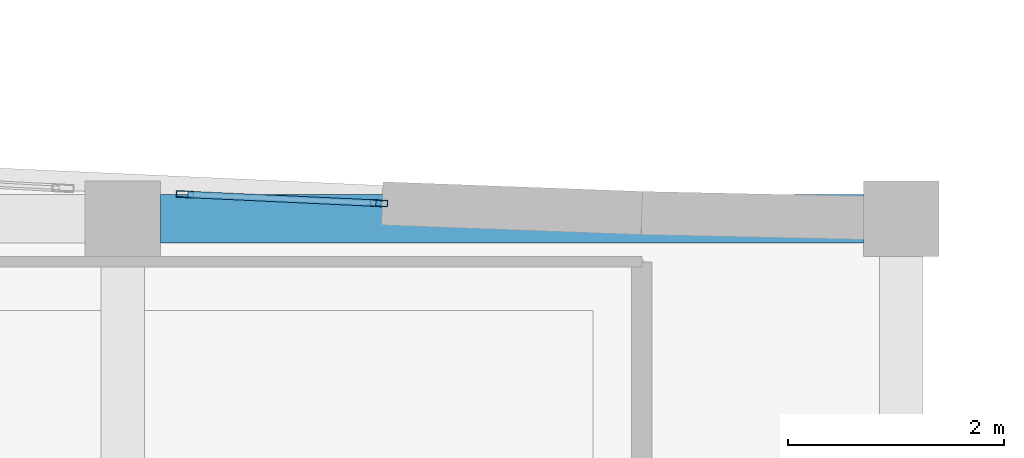
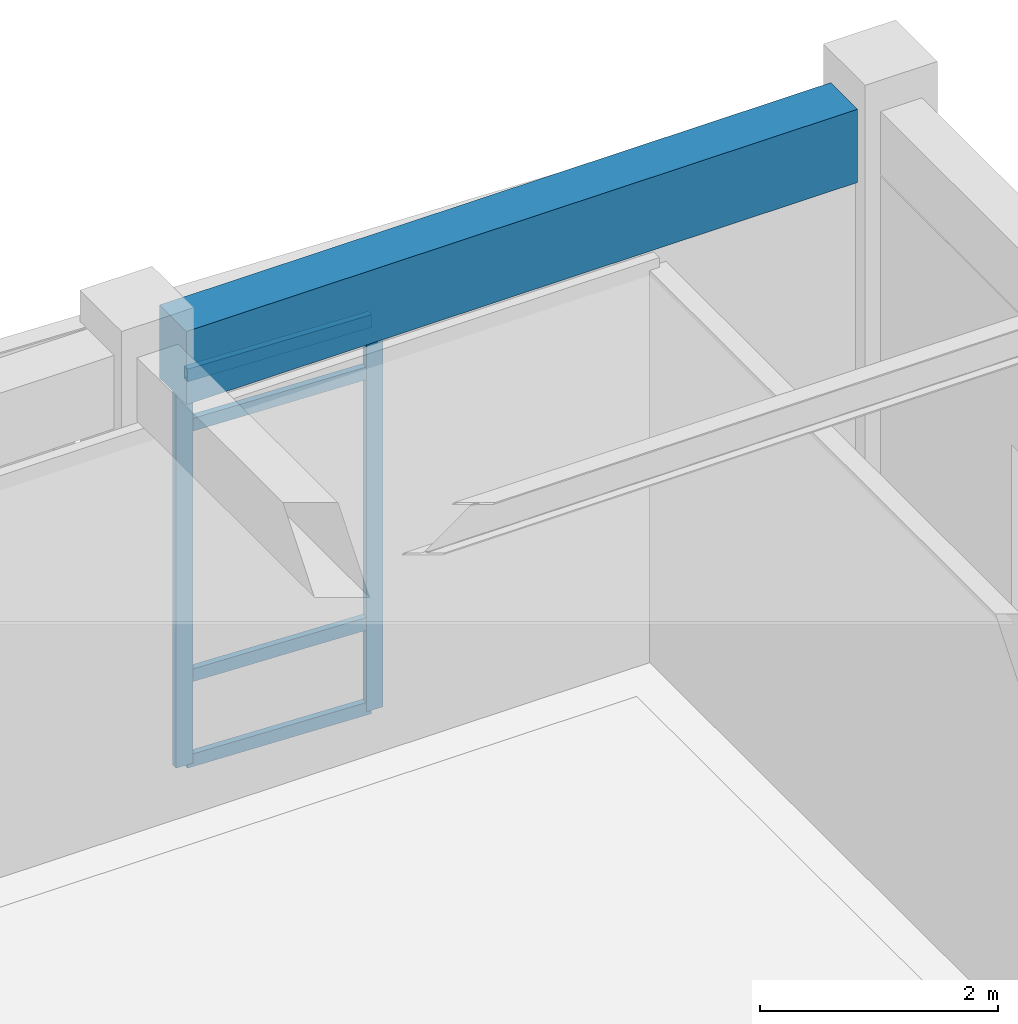
# One storey, part 65 of 117: 6 members, 1 beam, 1 element without a shape of its own.
"""IFC4 building model written with IfcOpenShell, lengths in metres."""

from ifc_helpers import new_model, si_unit, direction, frame, origin, origin_2d, place, context, subcontext, project, spatial, rectangle, hollow_rectangle, extrude, material, layer, layer_set, material_profile, profile_set, type_object, element, aggregate, save


model = new_model("IFC4")

# Units and contexts
model_context = context("Model", 3, precision=1e-05, world=origin(), true_north=direction((0.0, 1.0)))
body_context = subcontext(model_context, "Body", "Model", "MODEL_VIEW")
ifc_project = project(units=[si_unit("LENGTHUNIT", "METRE"), si_unit("AREAUNIT", "SQUARE_METRE"), si_unit("VOLUMEUNIT", "CUBIC_METRE"), si_unit("PLANEANGLEUNIT", "RADIAN"), si_unit("MASSUNIT", "GRAM", prefix="KILO")], contexts=[model_context])

# Site, building, storey
site_placement = place(None, origin())
site = spatial("IfcSite", under=ifc_project, at=site_placement, CompositionType="ELEMENT")
building_placement = place(site_placement, origin())
building = spatial("IfcBuilding", under=site, at=building_placement, Name="Carrowvane Square Congress Hotel", CompositionType="ELEMENT")
storey_placement = place(building_placement, frame((0.0, 0.0, 5.39990234375)))
storey = spatial("IfcBuildingStorey", under=building, at=storey_placement, Name="L01", CompositionType="ELEMENT", Elevation=5.39990234375)

# Beam
ifc_material_1 = material(Name="Concrete C35/45", Category="concrete")
ifc_material_profile_1 = material_profile(ifc_material_1, rectangle(XDim=0.449951171875, YDim=0.75, at=origin_2d()), Name="RC 450x750")
ifc_profile_set_1 = profile_set([ifc_material_profile_1], Name="Concrete C35/45")
beam_type = type_object("IfcBeamType", Name="BM-RC-450x750", PredefinedType="USERDEFINED", material=ifc_profile_set_1)
beam_placement = place(storey_placement, frame((155.949951171875, 113.39990234375, 4.405029296875), z_axis=(1.0, 0.0, 0.0), x_axis=(0.0, 1.0, 0.0)))
element("IfcBeam", 1, at=beam_placement, inside=storey, type_object=beam_type, Name="L02 girder R/21-22", ObjectType="GIRDER", PredefinedType="USERDEFINED", context=body_context, shape_type="SweptSolid", body=[
    extrude(rectangle(XDim=0.449951171875, YDim=0.75, at=origin_2d()), origin(), (0.0, 0.0, 1.0), 6.5),
])

# Curtain wall, members
ifc_material_2 = material(Name="Anodised aluminium", Category="aluminium")
ifc_layer = layer(ifc_material_2, 0.162109375)
ifc_layer_set = layer_set([ifc_layer], Name="Anodised aluminium")
curtain_wall_type = type_object("IfcCurtainWallType", Name="CW-SYS-1", PredefinedType="NOTDEFINED", material=ifc_layer_set)
curtain_wall_placement = place(storey_placement, origin())
curtain_wall = element("IfcCurtainWall", 2, at=curtain_wall_placement, inside=storey, type_object=curtain_wall_type, Name="L01 unitised curtain wall 112", PredefinedType="NOTDEFINED")
ifc_material_3 = material(Name="Anodised aluminium", Category="aluminium")
ifc_material_profile_2 = material_profile(ifc_material_3, hollow_rectangle(XDim=0.06005859375, YDim=0.159912109375, WallThickness=0.00390625, at=origin_2d()), Name="CW-ML 60x160x4")
ifc_profile_set_2 = profile_set([ifc_material_profile_2], Name="Anodised aluminium")
member_type_1 = type_object("IfcMemberType", Name="CW-MUL-1", PredefinedType="MULLION", material=ifc_profile_set_2)
member_1_placement = place(storey_placement, frame((156.17431640625, 113.6259765625, 0.0), z_axis=(0.0, 0.0, 1.0), x_axis=(0.04651698979, 0.998917498926, 0.0)))
member_1 = element("IfcMember", 3, at=member_1_placement, type_object=member_type_1, Name="CW-1 mullion 1", PredefinedType="MULLION", context=body_context, shape_type="SweptSolid", body=[
    extrude(hollow_rectangle(XDim=0.06005859375, YDim=0.159912109375, WallThickness=0.00390625, at=origin_2d()), origin(), (0.0, 0.0, 1.0), 4.01513671875),
])
member_2_placement = place(storey_placement, frame((157.969970703125, 113.54248046875, 0.0), z_axis=(0.0, 0.0, 1.0), x_axis=(0.04651698979, 0.998917498926, 0.0)))
member_2 = element("IfcMember", 4, at=member_2_placement, type_object=member_type_1, Name="CW-1 mullion 2", PredefinedType="MULLION", context=body_context, shape_type="SweptSolid", body=[
    extrude(hollow_rectangle(XDim=0.06005859375, YDim=0.159912109375, WallThickness=0.00390625, at=origin_2d()), origin(), (0.0, 0.0, 1.0), 4.01513671875),
])
ifc_material_4 = material(Name="Anodised aluminium", Category="aluminium")
ifc_material_profile_3 = material_profile(ifc_material_4, hollow_rectangle(XDim=0.06005859375, YDim=0.1298828125, WallThickness=0.00390625, at=origin_2d()), Name="CW-TR 60x130x4")
ifc_profile_set_3 = profile_set([ifc_material_profile_3], Name="Anodised aluminium")
member_type_2 = type_object("IfcMemberType", Name="CW-TRN-1", PredefinedType="USERDEFINED", material=ifc_profile_set_3)
member_3_placement = place(storey_placement, frame((156.204345703125, 113.62451171875, 0.030029296875), z_axis=(0.998918113854, -0.046503782797, 0.0), x_axis=(0.046503782797, 0.998918113854, 0.0)))
member_3 = element("IfcMember", 5, at=member_3_placement, type_object=member_type_2, Name="CW-1 transom 1.1", ObjectType="TRANSOM", PredefinedType="USERDEFINED", context=body_context, shape_type="SweptSolid", body=[
    extrude(hollow_rectangle(XDim=0.06005859375, YDim=0.1298828125, WallThickness=0.00390625, at=origin_2d()), origin(), (0.0, 0.0, 1.0), 1.73779296875),
])
member_4_placement = place(storey_placement, frame((156.204345703125, 113.62451171875, 0.900146484375), z_axis=(0.998918113854, -0.046503782797, 0.0), x_axis=(0.046503782797, 0.998918113854, 0.0)))
member_4 = element("IfcMember", 6, at=member_4_placement, type_object=member_type_2, Name="CW-1 transom 1.2", ObjectType="TRANSOM", PredefinedType="USERDEFINED", context=body_context, shape_type="SweptSolid", body=[
    extrude(hollow_rectangle(XDim=0.06005859375, YDim=0.1298828125, WallThickness=0.00390625, at=origin_2d()), origin(), (0.0, 0.0, 1.0), 1.73779296875),
])
member_5_placement = place(storey_placement, frame((156.204345703125, 113.62451171875, 3.465087890625), z_axis=(0.998918113854, -0.046503782797, 0.0), x_axis=(0.046503782797, 0.998918113854, 0.0)))
member_5 = element("IfcMember", 7, at=member_5_placement, type_object=member_type_2, Name="CW-1 transom 1.3", ObjectType="TRANSOM", PredefinedType="USERDEFINED", context=body_context, shape_type="SweptSolid", body=[
    extrude(hollow_rectangle(XDim=0.06005859375, YDim=0.1298828125, WallThickness=0.00390625, at=origin_2d()), origin(), (0.0, 0.0, 1.0), 1.73779296875),
])
member_6_placement = place(storey_placement, frame((156.204345703125, 113.62451171875, 3.985107421875), z_axis=(0.998918113854, -0.046503782797, 0.0), x_axis=(0.046503782797, 0.998918113854, 0.0)))
member_6 = element("IfcMember", 8, at=member_6_placement, type_object=member_type_2, Name="CW-1 transom 1.4", ObjectType="TRANSOM", PredefinedType="USERDEFINED", context=body_context, shape_type="SweptSolid", body=[
    extrude(hollow_rectangle(XDim=0.06005859375, YDim=0.1298828125, WallThickness=0.00390625, at=origin_2d()), origin(), (0.0, 0.0, 1.0), 1.73779296875),
])
aggregate(curtain_wall, [member_1, member_2, member_3, member_4, member_5, member_6])

save(model, "model.ifc")
